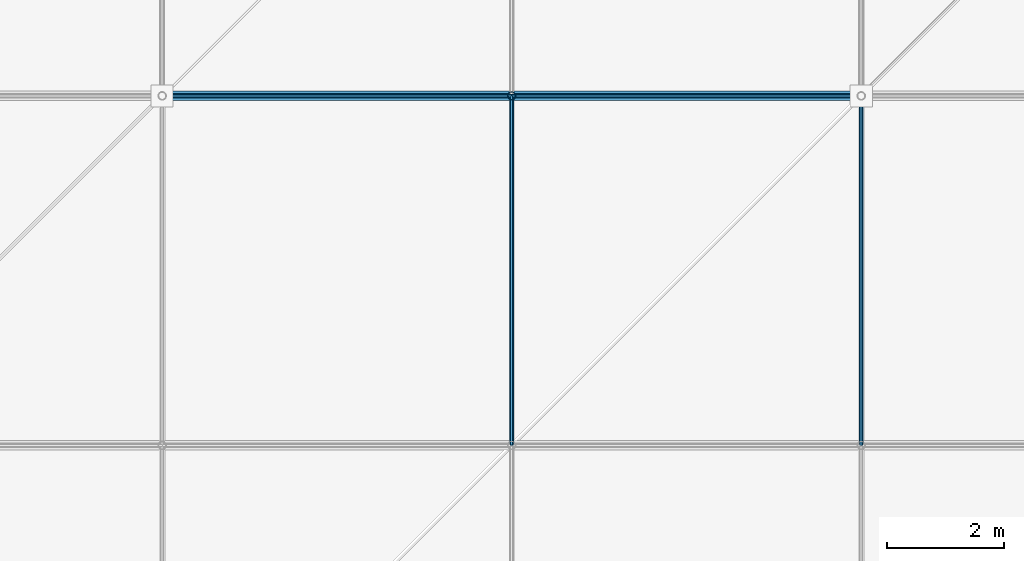
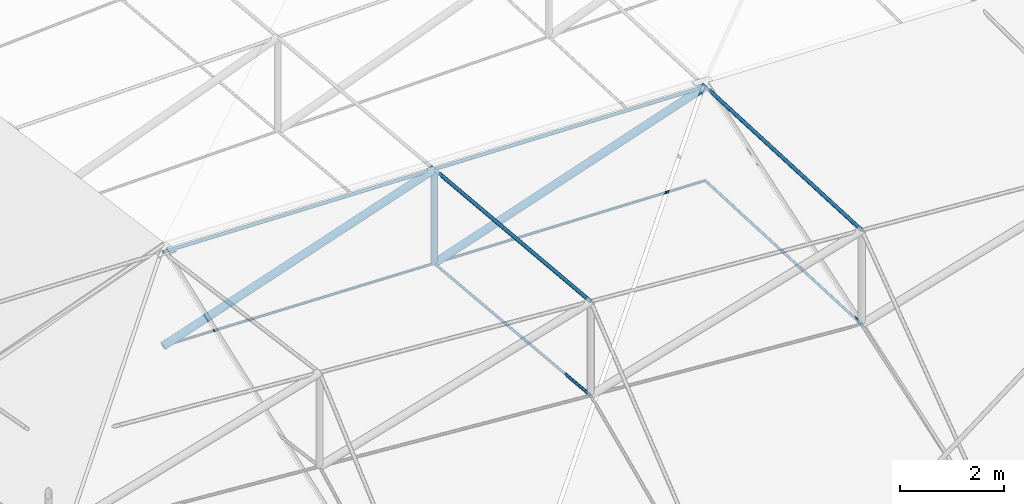
# One storey, part 23 of 132: 11 members.
"""IFC4 building model written with IfcOpenShell, lengths in metres."""

from ifc_helpers import new_model, si_unit, direction, frame, origin, origin_2d, place, context, subcontext, project, spatial, circle, hollow_circle, extrude, material, material_profile, profile_set, type_object, element, save


model = new_model("IFC4")

# Units and contexts
model_context = context("Model", 3, precision=1e-05, world=origin(), true_north=direction((0.0, 1.0)))
body_context = subcontext(model_context, "Body", "Model", "MODEL_VIEW")
ifc_project = project(units=[si_unit("LENGTHUNIT", "METRE"), si_unit("AREAUNIT", "SQUARE_METRE"), si_unit("VOLUMEUNIT", "CUBIC_METRE"), si_unit("PLANEANGLEUNIT", "RADIAN"), si_unit("MASSUNIT", "GRAM", prefix="KILO")], contexts=[model_context])

# Site, building, storey
site_placement = place(None, origin())
site = spatial("IfcSite", under=ifc_project, at=site_placement, CompositionType="ELEMENT")
building_placement = place(site_placement, origin())
building = spatial("IfcBuilding", under=site, at=building_placement, Name="Deido Ridge Mobility Hub", CompositionType="ELEMENT")
storey_placement = place(building_placement, frame((0.0, 0.0, 8.39990234375)))
storey = spatial("IfcBuildingStorey", under=building, at=storey_placement, Name="L02", CompositionType="ELEMENT", Elevation=8.39990234375)

# Members
ifc_material_1 = material(Name="Steel S460M EN 10025-4", Category="steel")
ifc_material_profile_1 = material_profile(ifc_material_1, circle(Radius=0.030029296875, at=origin_2d()), Name="CABLE D60")
ifc_profile_set_1 = profile_set([ifc_material_profile_1], Name="Steel S460M EN 10025-4")
member_type_1 = type_object("IfcMemberType", Name="MEM-CBL-D60", PredefinedType="USERDEFINED", material=ifc_profile_set_1)
for number, where, z_axis, x_axis, name in (
    (1, (12.0, 12.0, 2.2900390625), (0.999629695867, 0.0, -0.027211599387), (0.0, 1.0, 0.0), "Saddle lower stabilizing cable CB3"),
    (2, (18.0, 12.0, 2.126708984375), (0.999629695867, 0.0, -0.027211599387), (0.0, 1.0, 0.0), "Saddle lower stabilizing cable CB3"),
):
    element("IfcMember", number, at=place(storey_placement, frame(where, z_axis=z_axis, x_axis=x_axis)), inside=storey, type_object=member_type_1, Name=name, ObjectType="TENSION CABLE", PredefinedType="USERDEFINED", context=body_context, shape_type="SweptSolid", body=[
        extrude(circle(Radius=0.030029296875, at=origin_2d()), origin(), (0.0, 0.0, 1.0), 6.002197265625),
    ])
member_1_placement = place(storey_placement, frame((18.0, 6.0, 2.67333984375), z_axis=(0.0, 0.9958755837, -0.090729387691), x_axis=(-1.0, 0.0, 0.0)))
element("IfcMember", 3, at=member_1_placement, inside=storey, type_object=member_type_1, Name="Saddle transverse valley cable CB3", ObjectType="TENSION CABLE", PredefinedType="USERDEFINED", context=body_context, shape_type="SweptSolid", body=[
    extrude(circle(Radius=0.030029296875, at=origin_2d()), origin(), (0.0, 0.0, 1.0), 6.02490234375),
])
member_2_placement = place(storey_placement, frame((24.0, 6.0, 2.23681640625), z_axis=(0.0, 0.998963169392, -0.045525665272), x_axis=(-1.0, 0.0, 0.0)))
element("IfcMember", 4, at=member_2_placement, inside=storey, type_object=member_type_1, Name="Saddle transverse valley cable CB3", ObjectType="TENSION CABLE", PredefinedType="USERDEFINED", context=body_context, shape_type="SweptSolid", body=[
    extrude(circle(Radius=0.030029296875, at=origin_2d()), origin(), (0.0, 0.0, 1.0), 6.00634765625),
])
ifc_material_profile_2 = material_profile(ifc_material_1, circle(Radius=0.0380859375, at=origin_2d()), Name="CABLE D76")
ifc_profile_set_2 = profile_set([ifc_material_profile_2], Name="Steel S460M EN 10025-4")
member_type_2 = type_object("IfcMemberType", Name="MEM-CBL-D76", PredefinedType="USERDEFINED", material=ifc_profile_set_2)
for number, where, z_axis, x_axis, name in (
    (5, (12.0, 12.0, 4.489990234375), (0.999630801465, 0.0, -0.027170954402), (0.0, 1.0, 0.0), "Saddle upper longitudinal cable CB2"),
    (6, (18.0, 12.0, 4.326904296875), (0.999628588619, 0.0, -0.027252244237), (0.0, 1.0, 0.0), "Saddle upper longitudinal cable CB2"),
):
    element("IfcMember", number, at=place(storey_placement, frame(where, z_axis=z_axis, x_axis=x_axis)), inside=storey, type_object=member_type_2, Name=name, ObjectType="TENSION CABLE", PredefinedType="USERDEFINED", context=body_context, shape_type="SweptSolid", body=[
        extrude(circle(Radius=0.0380859375, at=origin_2d()), origin(), (0.0, 0.0, 1.0), 6.002197265625),
    ])
member_3_placement = place(storey_placement, frame((18.0, 6.0, 4.873291015625), z_axis=(0.0, 0.9958792443, -0.090689198761), x_axis=(-1.0, 0.0, 0.0)))
element("IfcMember", 7, at=member_3_placement, inside=storey, type_object=member_type_2, Name="Saddle transverse ridge cable CB2", ObjectType="TENSION CABLE", PredefinedType="USERDEFINED", context=body_context, shape_type="SweptSolid", body=[
    extrude(circle(Radius=0.0380859375, at=origin_2d()), origin(), (0.0, 0.0, 1.0), 6.02490234375),
])
member_4_placement = place(storey_placement, frame((24.0, 6.0, 4.436767578125), z_axis=(0.0, 0.998963169392, -0.045525665272), x_axis=(-1.0, 0.0, 0.0)))
element("IfcMember", 8, at=member_4_placement, inside=storey, type_object=member_type_2, Name="Saddle transverse ridge cable CB2", ObjectType="TENSION CABLE", PredefinedType="USERDEFINED", context=body_context, shape_type="SweptSolid", body=[
    extrude(circle(Radius=0.0380859375, at=origin_2d()), origin(), (0.0, 0.0, 1.0), 6.00634765625),
])
ifc_material_2 = material(Name="Steel S355J2H EN 10210-1", Category="steel")
ifc_material_profile_3 = material_profile(ifc_material_2, hollow_circle(Radius=0.06982421875, WallThickness=0.00634765625, at=origin_2d()), Name="CHS 139.7x6.3")
ifc_profile_set_3 = profile_set([ifc_material_profile_3], Name="Steel S355J2H EN 10210-1")
member_type_3 = type_object("IfcMemberType", Name="MEM-STR-CHS140", PredefinedType="STRUT", material=ifc_profile_set_3)
member_5_placement = place(storey_placement, frame((18.0, 12.0, 2.126708984375), z_axis=(0.0, 0.0, 1.0), x_axis=(1.0, 0.0, 0.0)))
element("IfcMember", 9, at=member_5_placement, inside=storey, type_object=member_type_3, Name="Cable-net vertical spreader strut SR2", PredefinedType="STRUT", context=body_context, shape_type="SweptSolid", body=[
    extrude(hollow_circle(Radius=0.06982421875, WallThickness=0.00634765625, at=origin_2d()), origin(), (0.0, 0.0, 1.0), 2.2001953125),
])
ifc_material_profile_4 = material_profile(ifc_material_2, hollow_circle(Radius=0.084228515625, WallThickness=0.008056640625, at=origin_2d()), Name="CHS 168.3x8")
ifc_profile_set_4 = profile_set([ifc_material_profile_4], Name="Steel S355J2H EN 10210-1")
member_type_4 = type_object("IfcMemberType", Name="MEM-STR-CHS168", PredefinedType="STRUT", material=ifc_profile_set_4)
member_6_placement = place(storey_placement, frame((12.0, 12.0, 2.2900390625), z_axis=(0.946923419348, 0.0, 0.321459232081), x_axis=(0.0, 1.0, 0.0)))
element("IfcMember", 10, at=member_6_placement, inside=storey, type_object=member_type_4, Name="Saddle diagonal web strut SR1", PredefinedType="STRUT", context=body_context, shape_type="SweptSolid", body=[
    extrude(hollow_circle(Radius=0.084228515625, WallThickness=0.008056640625, at=origin_2d()), origin(), (0.0, 0.0, 1.0), 6.33642578125),
])
member_7_placement = place(storey_placement, frame((18.0, 12.0, 2.126708984375), z_axis=(0.946935147416, 0.0, 0.321424682607), x_axis=(0.0, 1.0, 0.0)))
element("IfcMember", 11, at=member_7_placement, inside=storey, type_object=member_type_4, Name="Saddle diagonal web strut SR1", PredefinedType="STRUT", context=body_context, shape_type="SweptSolid", body=[
    extrude(hollow_circle(Radius=0.084228515625, WallThickness=0.008056640625, at=origin_2d()), origin(), (0.0, 0.0, 1.0), 6.336181640625),
])

save(model, "model.ifc")
